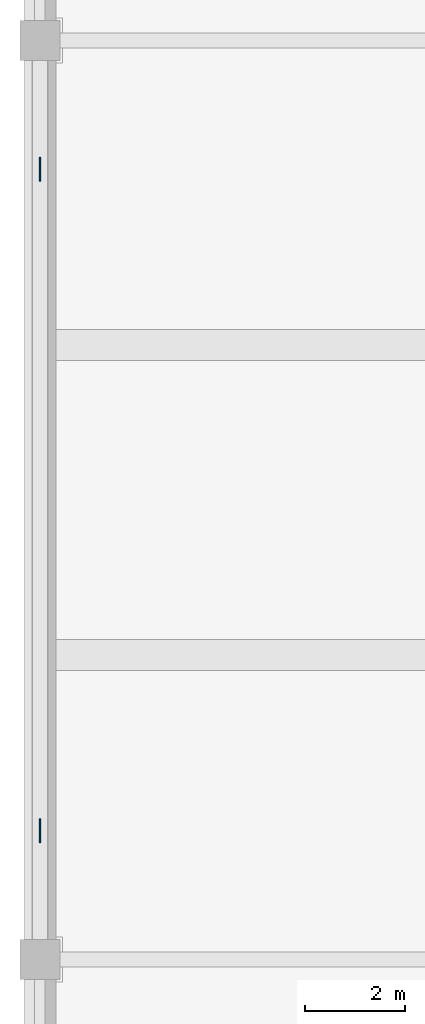
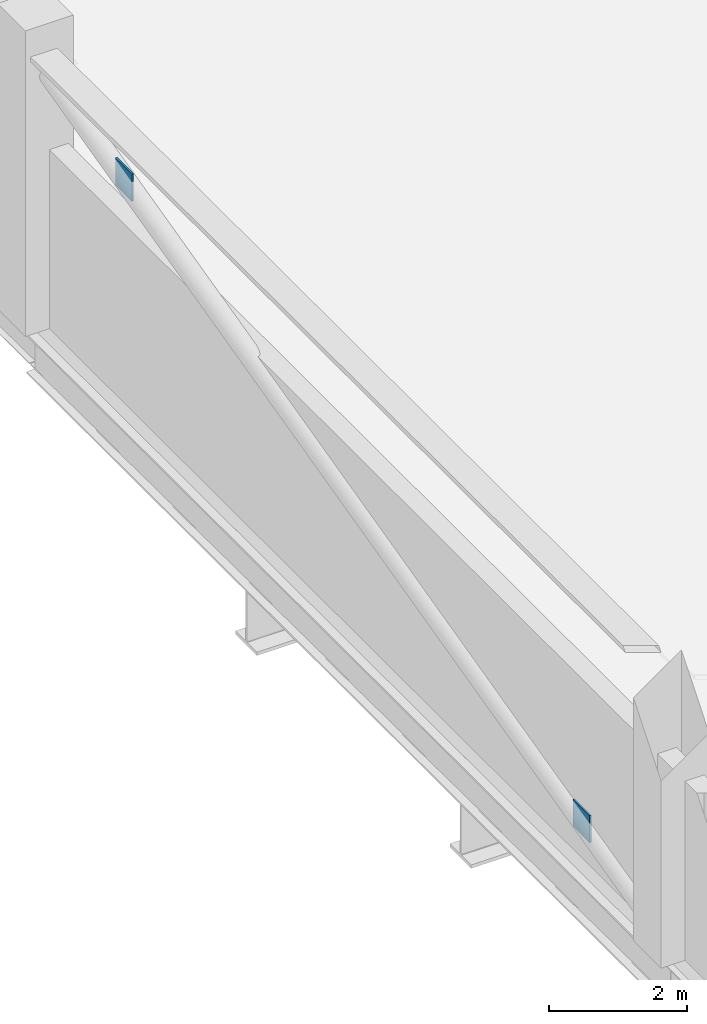
# One storey, part 21 of 35: 2 plates.
"""IFC4 building model written with IfcOpenShell, lengths in metres."""

from ifc_helpers import new_model, si_unit, direction, frame, origin, origin_2d, place, context, subcontext, project, spatial, rectangle, extrude, material, layer, layer_set, type_object, element, save


model = new_model("IFC4")

# Units and contexts
model_context = context("Model", 3, precision=1e-05, world=origin(), true_north=direction((0.0, 1.0)))
body_context = subcontext(model_context, "Body", "Model", "MODEL_VIEW")
ifc_project = project(units=[si_unit("LENGTHUNIT", "METRE"), si_unit("AREAUNIT", "SQUARE_METRE"), si_unit("VOLUMEUNIT", "CUBIC_METRE"), si_unit("PLANEANGLEUNIT", "RADIAN"), si_unit("MASSUNIT", "GRAM", prefix="KILO")], contexts=[model_context])

# Site, building, storey
site_placement = place(None, origin())
site = spatial("IfcSite", under=ifc_project, at=site_placement, CompositionType="ELEMENT")
building_placement = place(site_placement, origin())
building = spatial("IfcBuilding", under=site, at=building_placement, Name="Punatoya Terracotta Tower", CompositionType="ELEMENT")
storey_placement = place(building_placement, frame((0.0, 0.0, 16.800048828125)))
storey = spatial("IfcBuildingStorey", under=building, at=storey_placement, Name="L03", CompositionType="ELEMENT", Elevation=16.800048828125)

# Plates
ifc_material = material(Name="Steel S460", Category="steel")
ifc_layer = layer(ifc_material, 0.031982421875)
ifc_layer_set = layer_set([ifc_layer], Name="Steel S460")
plate_type = type_object("IfcPlateType", Name="PLT-END-32", PredefinedType="USERDEFINED", material=ifc_layer_set)
for number, where, z_axis, x_axis, name in (
    (1, (-37.0, -6.6240234375, 0.421142578125), (0.0, 0.0, 1.0), (1.0, 0.0, 0.0), "L03 Podium Brace PBR-1 End Connection Plate 1"),
    (2, (-37.0, 6.6240234375, 3.71875), (0.0, 0.0, 1.0), (1.0, 0.0, 0.0), "L03 Podium Brace PBR-1 End Connection Plate 2"),
):
    element("IfcPlate", number, at=place(storey_placement, frame(where, z_axis=z_axis, x_axis=x_axis)), inside=storey, type_object=plate_type, Name=name, ObjectType="FLANGE_PLATE", PredefinedType="USERDEFINED", context=body_context, shape_type="SweptSolid", body=[
        extrude(rectangle(XDim=0.031982421875, YDim=0.47998046875, at=origin_2d()), origin(), (0.0, 0.0, 1.0), 0.47998046875),
    ])

save(model, "model.ifc")
